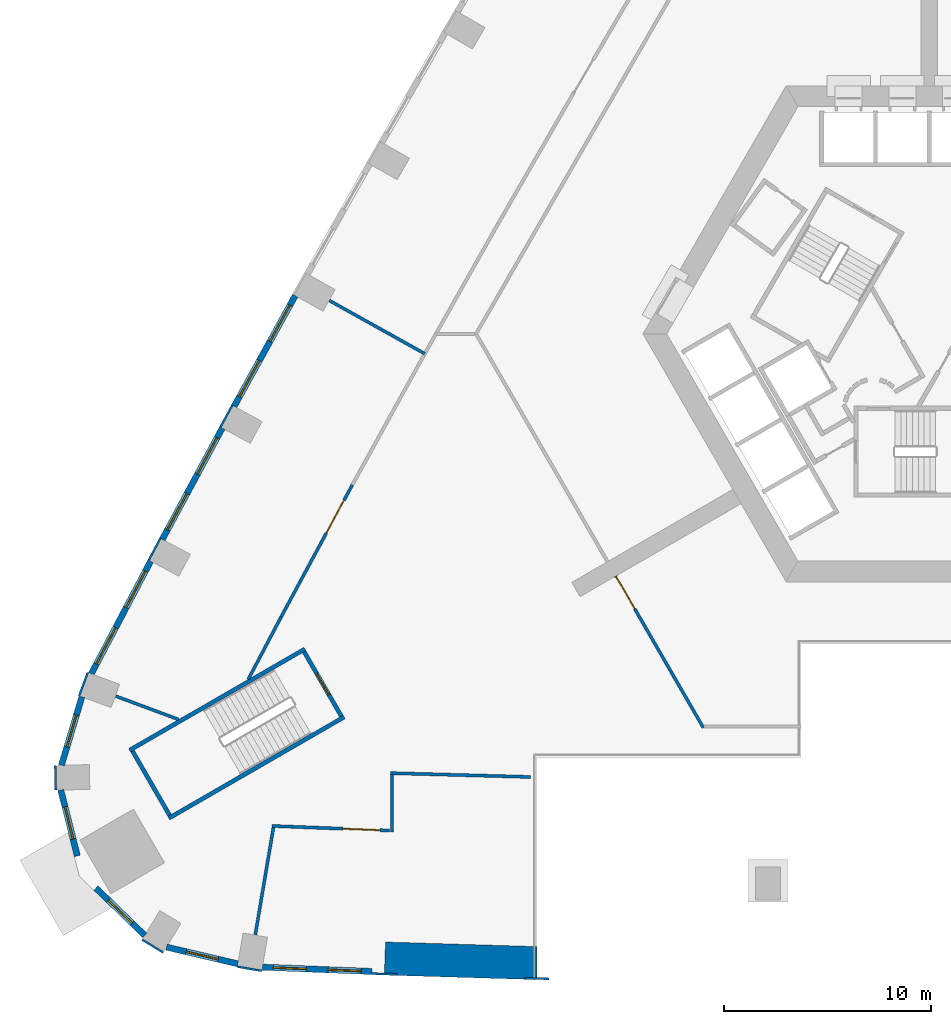
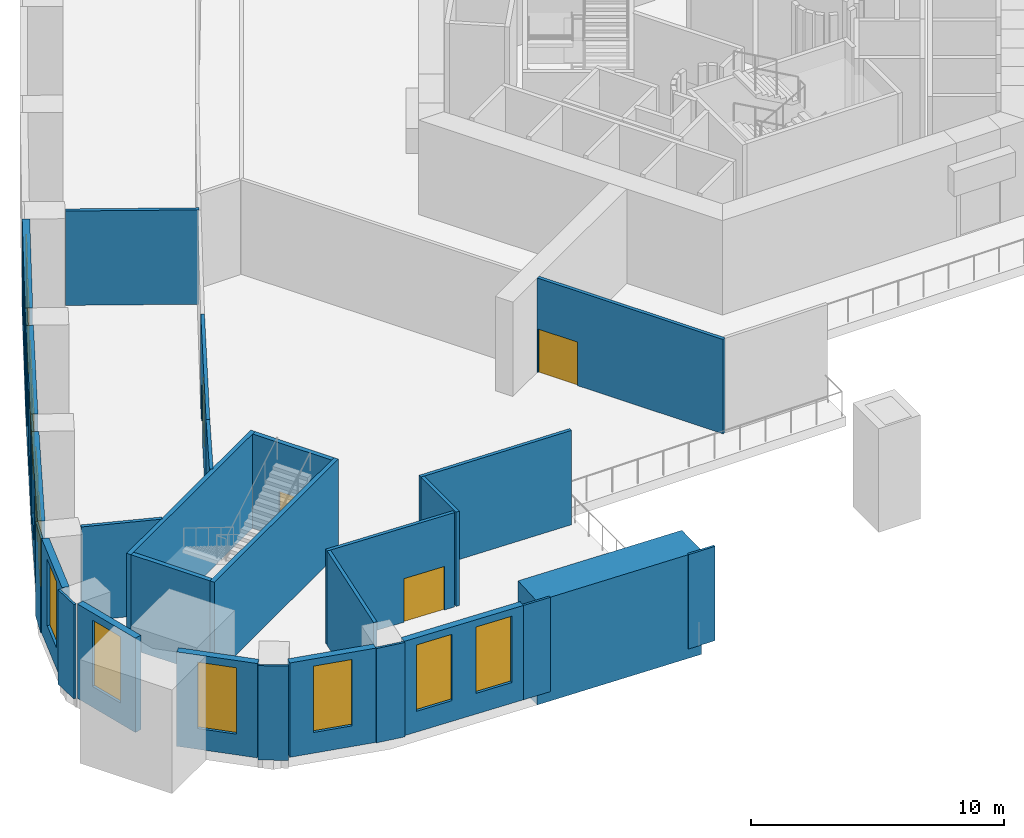
# One storey, part 2 of 16: 30 walls, 12 windows, 4 doors, 16 openings.
"""IFC4 building model written with IfcOpenShell, lengths in metres."""

from ifc_helpers import new_model, si_unit, direction, frame, frame_2d, origin, place, context, subcontext, project, spatial, polyline, rectangle, outline, extrude, material, layer, layer_set, type_object, element, fill, save


model = new_model("IFC4")

# Units and contexts
model_context = context("Model", 3, precision=1e-05, world=origin(), true_north=direction((0.0, 1.0)))
body_context = subcontext(model_context, "Body", "Model", "MODEL_VIEW")
ifc_project = project(units=[si_unit("LENGTHUNIT", "METRE"), si_unit("AREAUNIT", "SQUARE_METRE"), si_unit("VOLUMEUNIT", "CUBIC_METRE"), si_unit("PLANEANGLEUNIT", "RADIAN"), si_unit("MASSUNIT", "GRAM", prefix="KILO")], contexts=[model_context])

# Site, building, storey
site_placement = place(None, origin())
site = spatial("IfcSite", under=ifc_project, at=site_placement, CompositionType="ELEMENT")
building_placement = place(site_placement, origin())
building = spatial("IfcBuilding", under=site, at=building_placement, Name="Entoto Arch Interchange Tower", CompositionType="ELEMENT")
storey_placement = place(building_placement, frame((0.0, 0.0, 20.0)))
storey = spatial("IfcBuildingStorey", under=building, at=storey_placement, Name="L03", CompositionType="ELEMENT", Elevation=20.0)

# Walls
ifc_material_1 = material(Name="Concrete C60/75", Category="concrete")
ifc_layer_1 = layer(ifc_material_1, 1.60009765625)
ifc_layer_set_1 = layer_set([ifc_layer_1], Name="Concrete C60/75")
wall_type_1 = type_object("IfcWallType", Name="Arch leg wall 1600 C60/75", PredefinedType="SHEAR", material=ifc_layer_set_1)
wall_1_placement = place(storey_placement, frame((0.0, 0.0, -0.449951171875)))
element("IfcWall", 1, at=wall_1_placement, inside=storey, type_object=wall_type_1, Name="Arch leg W L03", PredefinedType="SHEAR", context=body_context, shape_type="SweptSolid", body=[
    extrude(outline(polyline([(-26.376953125, -28.5400390625), (-19.0, -28.761962890625), (-18.97607421875, -27.162109375), (-26.321044921875, -26.94091796875), (-26.376953125, -28.5400390625)])), origin(), (0.0, 0.0, 1.0), 5.0),
])
ifc_material_2 = material(Name="Gypsum board partition on steel studs", Category="steel")
ifc_layer_2 = layer(ifc_material_2, 0.14990234375)
ifc_layer_set_2 = layer_set([ifc_layer_2], Name="Gypsum board partition on steel studs")
wall_type_2 = type_object("IfcWallType", Name="PARTITION 150", PredefinedType="PARTITIONING", material=ifc_layer_set_2)
wall_2_placement = place(storey_placement, frame((-32.625, -26.587890625, 0.0), z_axis=(0.0, 0.0, 1.0), x_axis=(0.166820836651, 0.985987225302, 0.0)))
element("IfcWall", 2, at=wall_2_placement, inside=storey, type_object=wall_type_2, Name="wall:L03:p032", PredefinedType="PARTITIONING", context=body_context, shape_type="SweptSolid", body=[
    extrude(rectangle(XDim=5.2626953125, YDim=0.14990234375, at=frame_2d((2.63134765625, 0.0))), origin(), (0.0, 0.0, 1.0), 4.550048828125),
])

# Wall, opening, door
wall_3_placement = place(storey_placement, frame((-31.80908203125, -21.322021484375, 0.0), z_axis=(0.0, 0.0, 1.0), x_axis=(0.999236005504, -0.039082033002, 0.0)))
wall_3 = element("IfcWall", 3, at=wall_3_placement, inside=storey, type_object=wall_type_2, Name="wall:L03:p033", PredefinedType="PARTITIONING", context=body_context, shape_type="SweptSolid", body=[
    extrude(rectangle(XDim=5.678466796875, YDim=0.14990234375, at=frame_2d((2.83935546875, 0.0))), origin(), (0.0, 0.0, 1.0), 4.550048828125),
])
opening_1_placement = place(wall_3_placement, frame((3.419921875, 0.0, 0.0)))
opening_1 = element("IfcOpeningElement", 4, at=opening_1_placement, cuts=wall_3, Name="Opening L03-D04", PredefinedType="OPENING", context=body_context, shape_type="SweptSolid", body=[
    extrude(rectangle(XDim=1.800048828125, YDim=2.10009765625, at=frame_2d((0.89990234375, 1.050048828125))), frame((0.0, 0.0849609375, 0.0), z_axis=(0.0, -1.0, 0.0), x_axis=(1.0, 0.0, 0.0)), (0.0, 0.0, 1.0), 0.169921875),
])
ifc_material_3 = material(Name="Timber door leaf in Steel S235 frame", Category="steel")
door_type_1 = type_object("IfcDoorType", Name="DOOR DD-18 1800x2100", OperationType="DOUBLE_DOOR_SINGLE_SWING", PredefinedType="DOOR", material=ifc_material_3)
door_1_placement = place(opening_1_placement, origin())
door_1 = element("IfcDoor", 5, at=door_1_placement, inside=storey, type_object=door_type_1, Name="door:L03:04", OperationType="DOUBLE_DOOR_SINGLE_SWING", OverallHeight=2.10009765625, OverallWidth=1.800048828125, PredefinedType="DOOR", context=body_context, shape_type="SweptSolid", body=[
    extrude(rectangle(XDim=1.800048828125, YDim=2.10009765625, at=frame_2d((0.89990234375, 1.050048828125))), frame((0.0, 0.02490234375, 0.0), z_axis=(0.0, -1.0, 0.0), x_axis=(1.0, 0.0, 0.0)), (0.0, 0.0, 1.0), 0.050048828125),
])
fill(opening_1, door_1)

# Walls
wall_4_placement = place(storey_placement, frame((-26.0, -21.623046875, 0.0), z_axis=(0.0, 0.0, 1.0), x_axis=(0.0, 1.0, 0.0)))
element("IfcWall", 6, at=wall_4_placement, inside=storey, type_object=wall_type_2, Name="wall:L03:p034", PredefinedType="PARTITIONING", context=body_context, shape_type="SweptSolid", body=[
    extrude(rectangle(XDim=2.781982421875, YDim=0.14990234375, at=frame_2d((1.39111328125, 0.0))), origin(), (0.0, 0.0, 1.0), 4.550048828125),
])
wall_5_placement = place(storey_placement, frame((-26.074951171875, -18.763916015625, 0.0), z_axis=(0.0, 0.0, 1.0), x_axis=(0.999619238114, -0.027593093203, 0.0)))
element("IfcWall", 7, at=wall_5_placement, inside=storey, type_object=wall_type_2, Name="wall:L03:p035", PredefinedType="PARTITIONING", context=body_context, shape_type="SweptSolid", body=[
    extrude(rectangle(XDim=6.777587890625, YDim=0.14990234375, at=frame_2d((3.388671875, 0.0))), origin(), (0.0, 0.0, 1.0), 4.550048828125),
])
wall_6_placement = place(storey_placement, frame((-24.422119140625, 1.5419921875, 0.0), z_axis=(0.0, 0.0, 1.0), x_axis=(-0.873438758077, 0.48693401595, 0.0)))
element("IfcWall", 8, at=wall_6_placement, inside=storey, type_object=wall_type_2, Name="wall:L03:p060", PredefinedType="PARTITIONING", context=body_context, shape_type="SweptSolid", body=[
    extrude(rectangle(XDim=5.280029296875, YDim=0.14990234375, at=frame_2d((2.64013671875, 0.0))), origin(), (0.0, 0.0, 1.0), 4.550048828125),
])

# Wall, opening, door
wall_7_placement = place(storey_placement, frame((-27.927978515625, -4.81103515625, 0.0), z_axis=(0.0, 0.0, 1.0), x_axis=(-0.474637598335, -0.880181316688, 0.0)))
wall_7 = element("IfcWall", 9, at=wall_7_placement, inside=storey, type_object=wall_type_2, Name="wall:L03:p066", PredefinedType="PARTITIONING", context=body_context, shape_type="SweptSolid", body=[
    extrude(rectangle(XDim=7.254150390625, YDim=0.14990234375, at=frame_2d((3.626953125, 0.0))), origin(), (0.0, 0.0, 1.0), 4.550048828125),
])
opening_2_placement = place(wall_7_placement, frame((0.843994140625, 0.0, 0.0)))
opening_2 = element("IfcOpeningElement", 10, at=opening_2_placement, cuts=wall_7, Name="Opening L03-D11", PredefinedType="OPENING", context=body_context, shape_type="SweptSolid", body=[
    extrude(rectangle(XDim=1.800048828125, YDim=2.10009765625, at=frame_2d((0.89990234375, 1.050048828125))), frame((0.0, 0.0849609375, 0.0), z_axis=(0.0, -1.0, 0.0), x_axis=(1.0, 0.0, 0.0)), (0.0, 0.0, 1.0), 0.169921875),
])
door_2_placement = place(opening_2_placement, origin())
door_2 = element("IfcDoor", 11, at=door_2_placement, inside=storey, type_object=door_type_1, Name="door:L03:11", OperationType="DOUBLE_DOOR_SINGLE_SWING", OverallHeight=2.10009765625, OverallWidth=1.800048828125, PredefinedType="DOOR", context=body_context, shape_type="SweptSolid", body=[
    extrude(rectangle(XDim=1.800048828125, YDim=2.10009765625, at=frame_2d((0.89990234375, 1.050048828125))), frame((0.0, 0.02490234375, 0.0), z_axis=(0.0, -1.0, 0.0), x_axis=(1.0, 0.0, 0.0)), (0.0, 0.0, 1.0), 0.050048828125),
])
fill(opening_2, door_2)

# Walls
wall_8_placement = place(storey_placement, frame((-31.37109375, -11.196044921875, 0.0), z_axis=(0.0, 0.0, 1.0), x_axis=(-0.465955257404, -0.884808283244, 0.0)))
element("IfcWall", 12, at=wall_8_placement, inside=storey, type_object=wall_type_2, Name="wall:L03:p067", PredefinedType="PARTITIONING", context=body_context, shape_type="SweptSolid", body=[
    extrude(rectangle(XDim=3.4208984375, YDim=0.14990234375, at=frame_2d((1.71044921875, 0.0))), origin(), (0.0, 0.0, 1.0), 4.550048828125),
])
wall_9_placement = place(storey_placement, frame((-36.333984375, -16.16796875, 0.0), z_axis=(0.0, 0.0, 1.0), x_axis=(-0.937400028274, 0.348254485961, 0.0)))
element("IfcWall", 13, at=wall_9_placement, inside=storey, type_object=wall_type_2, Name="wall:L03:p068", PredefinedType="PARTITIONING", context=body_context, shape_type="SweptSolid", body=[
    extrude(rectangle(XDim=3.247314453125, YDim=0.14990234375, at=frame_2d((1.62353515625, 0.0))), origin(), (0.0, 0.0, 1.0), 4.550048828125),
])

# Wall, opening, door
wall_10_placement = place(storey_placement, frame((-10.93310546875, -16.56494140625, 0.0), z_axis=(0.0, 0.0, 1.0), x_axis=(-0.499957584211, 0.866049891167, 0.0)))
wall_10 = element("IfcWall", 14, at=wall_10_placement, inside=storey, type_object=wall_type_2, Name="wall:L03:p070", PredefinedType="PARTITIONING", context=body_context, shape_type="SweptSolid", body=[
    extrude(rectangle(XDim=8.478759765625, YDim=0.14990234375, at=frame_2d((4.2392578125, 0.0))), origin(), (0.0, 0.0, 1.0), 4.550048828125),
])
opening_3_placement = place(wall_10_placement, frame((6.635009765625, 0.0, 0.0)))
opening_3 = element("IfcOpeningElement", 15, at=opening_3_placement, cuts=wall_10, Name="Opening L03-D01", PredefinedType="OPENING", context=body_context, shape_type="SweptSolid", body=[
    extrude(rectangle(XDim=1.800048828125, YDim=2.10009765625, at=frame_2d((0.89990234375, 1.050048828125))), frame((0.0, 0.0849609375, 0.0), z_axis=(0.0, -1.0, 0.0), x_axis=(1.0, 0.0, 0.0)), (0.0, 0.0, 1.0), 0.169921875),
])
ifc_material_4 = material(Name="Fire-rated Steel S235 door and frame", Category="steel")
door_type_2 = type_object("IfcDoorType", Name="DOOR FD-18 1800x2100", OperationType="DOUBLE_DOOR_SINGLE_SWING", PredefinedType="DOOR", material=ifc_material_4)
door_3_placement = place(opening_3_placement, origin())
door_3 = element("IfcDoor", 16, at=door_3_placement, inside=storey, type_object=door_type_2, Name="door:L03:01", OperationType="DOUBLE_DOOR_SINGLE_SWING", OverallHeight=2.10009765625, OverallWidth=1.800048828125, PredefinedType="DOOR", context=body_context, shape_type="SweptSolid", body=[
    extrude(rectangle(XDim=1.800048828125, YDim=2.10009765625, at=frame_2d((0.89990234375, 1.050048828125))), frame((0.0, 0.02490234375, 0.0), z_axis=(0.0, -1.0, 0.0), x_axis=(1.0, 0.0, 0.0)), (0.0, 0.0, 1.0), 0.050048828125),
])
fill(opening_3, door_3)

# Walls
ifc_material_5 = material(Name="Concrete C40/50", Category="concrete")
ifc_layer_3 = layer(ifc_material_5, 0.199951171875)
ifc_layer_set_3 = layer_set([ifc_layer_3], Name="Concrete C40/50")
wall_type_3 = type_object("IfcWallType", Name="STAIR ENCLOSURE WALL 200", PredefinedType="STANDARD", material=ifc_layer_set_3)
for number, where, z_axis, x_axis, name in (
    (17, (-30.221923828125, -12.7548828125, 0.0), (0.0, 0.0, 1.0), (-0.866019227021, -0.500010698315, 0.0), "Stair wall PST-SW left"),
    (18, (-28.322021484375, -16.044921875, 0.0), (0.0, 0.0, 1.0), (-0.866019227021, -0.500010698315, 0.0), "Stair wall PST-SW right"),
):
    element("IfcWall", number, at=place(storey_placement, frame(where, z_axis=z_axis, x_axis=x_axis)), inside=storey, type_object=wall_type_3, Name=name, PredefinedType="STANDARD", context=body_context, shape_type="SweptSolid", body=[
        extrude(rectangle(XDim=9.800048828125, YDim=0.199951171875, at=frame_2d((4.89990234375, 0.0))), origin(), (0.0, 0.0, 1.0), 4.550048828125),
    ])

# Wall, opening, door
wall_11_placement = place(storey_placement, frame((-30.258056640625, -12.89111328125, 0.0), z_axis=(0.0, 0.0, 1.0), x_axis=(0.499982693035, -0.866035395735, 0.0)))
wall_11 = element("IfcWall", 19, at=wall_11_placement, inside=storey, type_object=wall_type_3, Name="Stair wall PST-SW near", PredefinedType="STANDARD", context=body_context, shape_type="SweptSolid", body=[
    extrude(rectangle(XDim=3.600341796875, YDim=0.199951171875, at=frame_2d((1.80029296875, 0.0))), origin(), (0.0, 0.0, 1.0), 4.550048828125),
])
opening_4_placement = place(wall_11_placement, frame((1.199951171875, 0.0, 0.0)))
opening_4 = element("IfcOpeningElement", 20, at=opening_4_placement, cuts=wall_11, Name="Opening SD-PST-SW-L03", PredefinedType="OPENING", context=body_context, shape_type="SweptSolid", body=[
    extrude(rectangle(XDim=1.199951171875, YDim=2.199951171875, at=frame_2d((0.60009765625, 1.10009765625))), frame((0.0, 0.10986328125, 0.0), z_axis=(0.0, -1.0, 0.0), x_axis=(1.0, 0.0, 0.0)), (0.0, 0.0, 1.0), 0.219970703125),
])
ifc_material_6 = material(Name="Steel S235", Category="steel")
door_type_3 = type_object("IfcDoorType", Name="STAIR DOOR SD2 1200x2200", OperationType="SINGLE_SWING_LEFT", PredefinedType="DOOR", material=ifc_material_6)
door_4_placement = place(opening_4_placement, origin())
door_4 = element("IfcDoor", 21, at=door_4_placement, inside=storey, type_object=door_type_3, Name="Stair door PST-SW L03", OperationType="SINGLE_SWING_LEFT", OverallHeight=2.199951171875, OverallWidth=1.199951171875, PredefinedType="DOOR", context=body_context, shape_type="SweptSolid", body=[
    extrude(rectangle(XDim=1.199951171875, YDim=2.199951171875, at=frame_2d((0.60009765625, 1.10009765625))), frame((0.0, 0.02490234375, 0.0), z_axis=(0.0, -1.0, 0.0), x_axis=(1.0, 0.0, 0.0)), (0.0, 0.0, 1.0), 0.050048828125),
])
fill(opening_4, door_4)

# Wall
wall_12_placement = place(storey_placement, frame((-38.572021484375, -17.69091796875, 0.0), z_axis=(0.0, 0.0, 1.0), x_axis=(0.49995333141, -0.866052346231, 0.0)))
element("IfcWall", 22, at=wall_12_placement, inside=storey, type_object=wall_type_3, Name="Stair wall PST-SW far", PredefinedType="STANDARD", context=body_context, shape_type="SweptSolid", body=[
    extrude(rectangle(XDim=3.600341796875, YDim=0.199951171875, at=frame_2d((1.80029296875, 0.0))), origin(), (0.0, 0.0, 1.0), 4.550048828125),
])

# Wall, openings, windows
ifc_material_7 = material(Name="Welded tuff (ignimbrite) cladding, warm buff", Category="masonry")
ifc_layer_4 = layer(ifc_material_7, 0.300048828125)
ifc_layer_set_4 = layer_set([ifc_layer_4], Name="Welded tuff (ignimbrite) cladding, warm buff")
wall_type_4 = type_object("IfcWallType", Name="STONE INFILL WALL 300", PredefinedType="STANDARD", material=ifc_layer_set_4)
wall_13_placement = place(storey_placement, frame((-32.281982421875, -28.158935546875, 0.0), z_axis=(0.0, 0.0, 1.0), x_axis=(0.999234205654, -0.039128023863, 0.0)))
wall_13 = element("IfcWall", 23, at=wall_13_placement, inside=storey, type_object=wall_type_4, Name="Facade wall S-01 L03", PredefinedType="STANDARD", context=body_context, shape_type="SweptSolid", body=[
    extrude(rectangle(XDim=5.316162109375, YDim=0.300048828125, at=frame_2d((2.658203125, 0.0))), origin(), (0.0, 0.0, 1.0), 4.550048828125),
])
opening_5_placement = place(wall_13_placement, frame((0.529052734375, 0.0, 1.0)))
opening_5 = element("IfcOpeningElement", 24, at=opening_5_placement, cuts=wall_13, Name="Opening WP-C", PredefinedType="OPENING", context=body_context, shape_type="SweptSolid", body=[
    extrude(rectangle(XDim=1.60009765625, YDim=3.199951171875, at=frame_2d((0.800048828125, 1.60009765625))), frame((0.0, 0.16015625, 0.0), z_axis=(0.0, -1.0, 0.0), x_axis=(1.0, 0.0, 0.0)), (0.0, 0.0, 1.0), 0.320068359375),
])
opening_6_placement = place(wall_13_placement, frame((3.18701171875, 0.0, 1.0)))
opening_6 = element("IfcOpeningElement", 25, at=opening_6_placement, cuts=wall_13, Name="Opening WP-C", PredefinedType="OPENING", context=body_context, shape_type="SweptSolid", body=[
    extrude(rectangle(XDim=1.60009765625, YDim=3.199951171875, at=frame_2d((0.800048828125, 1.60009765625))), frame((0.0, 0.16015625, 0.0), z_axis=(0.0, -1.0, 0.0), x_axis=(1.0, 0.0, 0.0)), (0.0, 0.0, 1.0), 0.320068359375),
])
ifc_material_8 = material(Name="Clear glass, low-e double glazed", Category="glass")
window_type_1 = type_object("IfcWindowType", Name="WINDOW WP-C 1600x3200", PartitioningType="DOUBLE_PANEL_VERTICAL", PredefinedType="WINDOW", material=ifc_material_8)
window_1_placement = place(opening_5_placement, origin())
window_1 = element("IfcWindow", 26, at=window_1_placement, inside=storey, type_object=window_type_1, Name="Window WP-C S-01 L03", OverallHeight=3.199951171875, OverallWidth=1.60009765625, PartitioningType="SINGLE_PANEL", PredefinedType="WINDOW", context=body_context, shape_type="SweptSolid", body=[
    extrude(rectangle(XDim=1.60009765625, YDim=3.199951171875, at=frame_2d((0.800048828125, 1.60009765625))), frame((0.0, 0.030029296875, 0.0), z_axis=(0.0, -1.0, 0.0), x_axis=(1.0, 0.0, 0.0)), (0.0, 0.0, 1.0), 0.06005859375),
])
fill(opening_5, window_1)
window_2_placement = place(opening_6_placement, origin())
window_2 = element("IfcWindow", 27, at=window_2_placement, inside=storey, type_object=window_type_1, Name="Window WP-C S-01 L03", OverallHeight=3.199951171875, OverallWidth=1.60009765625, PartitioningType="SINGLE_PANEL", PredefinedType="WINDOW", context=body_context, shape_type="SweptSolid", body=[
    extrude(rectangle(XDim=1.60009765625, YDim=3.199951171875, at=frame_2d((0.800048828125, 1.60009765625))), frame((0.0, 0.030029296875, 0.0), z_axis=(0.0, -1.0, 0.0), x_axis=(1.0, 0.0, 0.0)), (0.0, 0.0, 1.0), 0.06005859375),
])
fill(opening_6, window_2)

wall_14_placement = place(storey_placement, frame((-30.694091796875, 4.35302734375, 0.0), z_axis=(0.0, 0.0, 1.0), x_axis=(-0.483233380559, -0.875491576152, 0.0)))
wall_14 = element("IfcWall", 28, at=wall_14_placement, inside=storey, type_object=wall_type_4, Name="Facade wall NW-07 L03", PredefinedType="STANDARD", context=body_context, shape_type="SweptSolid", body=[
    extrude(rectangle(XDim=6.121337890625, YDim=0.300048828125, at=frame_2d((3.060546875, 0.0))), origin(), (0.0, 0.0, 1.0), 4.550048828125),
])
opening_7_placement = place(wall_14_placement, frame((0.530029296875, 0.0, 1.0)))
opening_7 = element("IfcOpeningElement", 29, at=opening_7_placement, cuts=wall_14, Name="Opening WP-E", PredefinedType="OPENING", context=body_context, shape_type="SweptSolid", body=[
    extrude(rectangle(XDim=2.0, YDim=3.199951171875, at=frame_2d((1.0, 1.60009765625))), frame((0.0, 0.16015625, 0.0), z_axis=(0.0, -1.0, 0.0), x_axis=(1.0, 0.0, 0.0)), (0.0, 0.0, 1.0), 0.320068359375),
])
opening_8_placement = place(wall_14_placement, frame((3.591064453125, 0.0, 1.0)))
opening_8 = element("IfcOpeningElement", 30, at=opening_8_placement, cuts=wall_14, Name="Opening WP-E", PredefinedType="OPENING", context=body_context, shape_type="SweptSolid", body=[
    extrude(rectangle(XDim=2.0, YDim=3.199951171875, at=frame_2d((1.0, 1.60009765625))), frame((0.0, 0.16015625, 0.0), z_axis=(0.0, -1.0, 0.0), x_axis=(1.0, 0.0, 0.0)), (0.0, 0.0, 1.0), 0.320068359375),
])
window_type_2 = type_object("IfcWindowType", Name="WINDOW WP-E 2000x3200", PartitioningType="DOUBLE_PANEL_VERTICAL", PredefinedType="WINDOW", material=ifc_material_8)
window_3_placement = place(opening_7_placement, origin())
window_3 = element("IfcWindow", 31, at=window_3_placement, inside=storey, type_object=window_type_2, Name="Window WP-E NW-07 L03", OverallHeight=3.199951171875, OverallWidth=2.0, PartitioningType="SINGLE_PANEL", PredefinedType="WINDOW", context=body_context, shape_type="SweptSolid", body=[
    extrude(rectangle(XDim=2.0, YDim=3.199951171875, at=frame_2d((1.0, 1.60009765625))), frame((0.0, 0.030029296875, 0.0), z_axis=(0.0, -1.0, 0.0), x_axis=(1.0, 0.0, 0.0)), (0.0, 0.0, 1.0), 0.06005859375),
])
fill(opening_7, window_3)
window_4_placement = place(opening_8_placement, origin())
window_4 = element("IfcWindow", 32, at=window_4_placement, inside=storey, type_object=window_type_2, Name="Window WP-E NW-07 L03", OverallHeight=3.199951171875, OverallWidth=2.0, PartitioningType="SINGLE_PANEL", PredefinedType="WINDOW", context=body_context, shape_type="SweptSolid", body=[
    extrude(rectangle(XDim=2.0, YDim=3.199951171875, at=frame_2d((1.0, 1.60009765625))), frame((0.0, 0.030029296875, 0.0), z_axis=(0.0, -1.0, 0.0), x_axis=(1.0, 0.0, 0.0)), (0.0, 0.0, 1.0), 0.06005859375),
])
fill(opening_8, window_4)

wall_15_placement = place(storey_placement, frame((-34.22607421875, -2.05810546875, 0.0), z_axis=(0.0, 0.0, 1.0), x_axis=(-0.474584950749, -0.880209704856, 0.0)))
wall_15 = element("IfcWall", 33, at=wall_15_placement, inside=storey, type_object=wall_type_4, Name="Facade wall NW-08 L03", PredefinedType="STANDARD", context=body_context, shape_type="SweptSolid", body=[
    extrude(rectangle(XDim=6.12109375, YDim=0.300048828125, at=frame_2d((3.060546875, 0.0))), origin(), (0.0, 0.0, 1.0), 4.550048828125),
])
opening_9_placement = place(wall_15_placement, frame((0.530029296875, 0.0, 1.0)))
opening_9 = element("IfcOpeningElement", 34, at=opening_9_placement, cuts=wall_15, Name="Opening WP-E", PredefinedType="OPENING", context=body_context, shape_type="SweptSolid", body=[
    extrude(rectangle(XDim=2.0, YDim=3.199951171875, at=frame_2d((1.0, 1.60009765625))), frame((0.0, 0.16015625, 0.0), z_axis=(0.0, -1.0, 0.0), x_axis=(1.0, 0.0, 0.0)), (0.0, 0.0, 1.0), 0.320068359375),
])
opening_10_placement = place(wall_15_placement, frame((3.591064453125, 0.0, 1.0)))
opening_10 = element("IfcOpeningElement", 35, at=opening_10_placement, cuts=wall_15, Name="Opening WP-E", PredefinedType="OPENING", context=body_context, shape_type="SweptSolid", body=[
    extrude(rectangle(XDim=2.0, YDim=3.199951171875, at=frame_2d((1.0, 1.60009765625))), frame((0.0, 0.16015625, 0.0), z_axis=(0.0, -1.0, 0.0), x_axis=(1.0, 0.0, 0.0)), (0.0, 0.0, 1.0), 0.320068359375),
])
window_5_placement = place(opening_9_placement, origin())
window_5 = element("IfcWindow", 36, at=window_5_placement, inside=storey, type_object=window_type_2, Name="Window WP-E NW-08 L03", OverallHeight=3.199951171875, OverallWidth=2.0, PartitioningType="SINGLE_PANEL", PredefinedType="WINDOW", context=body_context, shape_type="SweptSolid", body=[
    extrude(rectangle(XDim=2.0, YDim=3.199951171875, at=frame_2d((1.0, 1.60009765625))), frame((0.0, 0.030029296875, 0.0), z_axis=(0.0, -1.0, 0.0), x_axis=(1.0, 0.0, 0.0)), (0.0, 0.0, 1.0), 0.06005859375),
])
fill(opening_9, window_5)
window_6_placement = place(opening_10_placement, origin())
window_6 = element("IfcWindow", 37, at=window_6_placement, inside=storey, type_object=window_type_2, Name="Window WP-E NW-08 L03", OverallHeight=3.199951171875, OverallWidth=2.0, PartitioningType="SINGLE_PANEL", PredefinedType="WINDOW", context=body_context, shape_type="SweptSolid", body=[
    extrude(rectangle(XDim=2.0, YDim=3.199951171875, at=frame_2d((1.0, 1.60009765625))), frame((0.0, 0.030029296875, 0.0), z_axis=(0.0, -1.0, 0.0), x_axis=(1.0, 0.0, 0.0)), (0.0, 0.0, 1.0), 0.06005859375),
])
fill(opening_10, window_6)

wall_16_placement = place(storey_placement, frame((-37.695068359375, -8.5029296875, 0.0), z_axis=(0.0, 0.0, 1.0), x_axis=(-0.466125129602, -0.884718804792, 0.0)))
wall_16 = element("IfcWall", 38, at=wall_16_placement, inside=storey, type_object=wall_type_4, Name="Facade wall NW-09 L03", PredefinedType="STANDARD", context=body_context, shape_type="SweptSolid", body=[
    extrude(rectangle(XDim=6.16357421875, YDim=0.300048828125, at=frame_2d((3.081787109375, 0.0))), origin(), (0.0, 0.0, 1.0), 4.550048828125),
])
opening_11_placement = place(wall_16_placement, frame((0.541015625, 0.0, 1.0)))
opening_11 = element("IfcOpeningElement", 39, at=opening_11_placement, cuts=wall_16, Name="Opening WP-E", PredefinedType="OPENING", context=body_context, shape_type="SweptSolid", body=[
    extrude(rectangle(XDim=2.0, YDim=3.199951171875, at=frame_2d((1.0, 1.60009765625))), frame((0.0, 0.16015625, 0.0), z_axis=(0.0, -1.0, 0.0), x_axis=(1.0, 0.0, 0.0)), (0.0, 0.0, 1.0), 0.320068359375),
])
opening_12_placement = place(wall_16_placement, frame((3.623046875, 0.0, 1.0)))
opening_12 = element("IfcOpeningElement", 40, at=opening_12_placement, cuts=wall_16, Name="Opening WP-E", PredefinedType="OPENING", context=body_context, shape_type="SweptSolid", body=[
    extrude(rectangle(XDim=2.0, YDim=3.199951171875, at=frame_2d((1.0, 1.60009765625))), frame((0.0, 0.16015625, 0.0), z_axis=(0.0, -1.0, 0.0), x_axis=(1.0, 0.0, 0.0)), (0.0, 0.0, 1.0), 0.320068359375),
])
window_7_placement = place(opening_11_placement, origin())
window_7 = element("IfcWindow", 41, at=window_7_placement, inside=storey, type_object=window_type_2, Name="Window WP-E NW-09 L03", OverallHeight=3.199951171875, OverallWidth=2.0, PartitioningType="SINGLE_PANEL", PredefinedType="WINDOW", context=body_context, shape_type="SweptSolid", body=[
    extrude(rectangle(XDim=2.0, YDim=3.199951171875, at=frame_2d((1.0, 1.60009765625))), frame((0.0, 0.030029296875, 0.0), z_axis=(0.0, -1.0, 0.0), x_axis=(1.0, 0.0, 0.0)), (0.0, 0.0, 1.0), 0.06005859375),
])
fill(opening_11, window_7)
window_8_placement = place(opening_12_placement, origin())
window_8 = element("IfcWindow", 42, at=window_8_placement, inside=storey, type_object=window_type_2, Name="Window WP-E NW-09 L03", OverallHeight=3.199951171875, OverallWidth=2.0, PartitioningType="SINGLE_PANEL", PredefinedType="WINDOW", context=body_context, shape_type="SweptSolid", body=[
    extrude(rectangle(XDim=2.0, YDim=3.199951171875, at=frame_2d((1.0, 1.60009765625))), frame((0.0, 0.030029296875, 0.0), z_axis=(0.0, -1.0, 0.0), x_axis=(1.0, 0.0, 0.0)), (0.0, 0.0, 1.0), 0.06005859375),
])
fill(opening_12, window_8)

# Wall, opening, window
wall_17_placement = place(storey_placement, frame((-41.02197265625, -15.06591796875, 0.0), z_axis=(0.0, 0.0, 1.0), x_axis=(-0.285800575124, -0.958289116738, 0.0)))
wall_17 = element("IfcWall", 43, at=wall_17_placement, inside=storey, type_object=wall_type_4, Name="Facade wall SW-01 L03", PredefinedType="STANDARD", context=body_context, shape_type="SweptSolid", body=[
    extrude(rectangle(XDim=3.46044921875, YDim=0.300048828125, at=frame_2d((1.730224609375, 0.0))), origin(), (0.0, 0.0, 1.0), 4.550048828125),
])
opening_13_placement = place(wall_17_placement, frame((0.929931640625, 0.0, 1.0)))
opening_13 = element("IfcOpeningElement", 44, at=opening_13_placement, cuts=wall_17, Name="Opening WP-C", PredefinedType="OPENING", context=body_context, shape_type="SweptSolid", body=[
    extrude(rectangle(XDim=1.60009765625, YDim=3.199951171875, at=frame_2d((0.800048828125, 1.60009765625))), frame((0.0, 0.16015625, 0.0), z_axis=(0.0, -1.0, 0.0), x_axis=(1.0, 0.0, 0.0)), (0.0, 0.0, 1.0), 0.320068359375),
])
window_9_placement = place(opening_13_placement, origin())
window_9 = element("IfcWindow", 45, at=window_9_placement, inside=storey, type_object=window_type_1, Name="Window WP-C SW-01 L03", OverallHeight=3.199951171875, OverallWidth=1.60009765625, PartitioningType="SINGLE_PANEL", PredefinedType="WINDOW", context=body_context, shape_type="SweptSolid", body=[
    extrude(rectangle(XDim=1.60009765625, YDim=3.199951171875, at=frame_2d((0.800048828125, 1.60009765625))), frame((0.0, 0.030029296875, 0.0), z_axis=(0.0, -1.0, 0.0), x_axis=(1.0, 0.0, 0.0)), (0.0, 0.0, 1.0), 0.06005859375),
])
fill(opening_13, window_9)

wall_18_placement = place(storey_placement, frame((-42.0439453125, -19.5810546875, 0.0), z_axis=(0.0, 0.0, 1.0), x_axis=(0.244315836028, -0.969695711172, 0.0)))
wall_18 = element("IfcWall", 46, at=wall_18_placement, inside=storey, type_object=wall_type_4, Name="Facade wall SW-02 L03", PredefinedType="STANDARD", context=body_context, shape_type="SweptSolid", body=[
    extrude(rectangle(XDim=3.29052734375, YDim=0.300048828125, at=frame_2d((1.645263671875, 0.0))), origin(), (0.0, 0.0, 1.0), 4.550048828125),
])
opening_14_placement = place(wall_18_placement, frame((0.844970703125, 0.0, 1.0)))
opening_14 = element("IfcOpeningElement", 47, at=opening_14_placement, cuts=wall_18, Name="Opening WP-C", PredefinedType="OPENING", context=body_context, shape_type="SweptSolid", body=[
    extrude(rectangle(XDim=1.60009765625, YDim=3.199951171875, at=frame_2d((0.800048828125, 1.60009765625))), frame((0.0, 0.16015625, 0.0), z_axis=(0.0, -1.0, 0.0), x_axis=(1.0, 0.0, 0.0)), (0.0, 0.0, 1.0), 0.320068359375),
])
window_10_placement = place(opening_14_placement, origin())
window_10 = element("IfcWindow", 48, at=window_10_placement, inside=storey, type_object=window_type_1, Name="Window WP-C SW-02 L03", OverallHeight=3.199951171875, OverallWidth=1.60009765625, PartitioningType="SINGLE_PANEL", PredefinedType="WINDOW", context=body_context, shape_type="SweptSolid", body=[
    extrude(rectangle(XDim=1.60009765625, YDim=3.199951171875, at=frame_2d((0.800048828125, 1.60009765625))), frame((0.0, 0.030029296875, 0.0), z_axis=(0.0, -1.0, 0.0), x_axis=(1.0, 0.0, 0.0)), (0.0, 0.0, 1.0), 0.06005859375),
])
fill(opening_14, window_10)

wall_19_placement = place(storey_placement, frame((-40.341064453125, -24.3291015625, 0.0), z_axis=(0.0, 0.0, 1.0), x_axis=(0.717527250225, -0.696530433782, 0.0)))
wall_19 = element("IfcWall", 49, at=wall_19_placement, inside=storey, type_object=wall_type_4, Name="Facade wall SW-03 L03", PredefinedType="STANDARD", context=body_context, shape_type="SweptSolid", body=[
    extrude(rectangle(XDim=3.29052734375, YDim=0.300048828125, at=frame_2d((1.645263671875, 0.0))), origin(), (0.0, 0.0, 1.0), 4.550048828125),
])
opening_15_placement = place(wall_19_placement, frame((0.844970703125, 0.0, 1.0)))
opening_15 = element("IfcOpeningElement", 50, at=opening_15_placement, cuts=wall_19, Name="Opening WP-C", PredefinedType="OPENING", context=body_context, shape_type="SweptSolid", body=[
    extrude(rectangle(XDim=1.60009765625, YDim=3.199951171875, at=frame_2d((0.800048828125, 1.60009765625))), frame((0.0, 0.16015625, 0.0), z_axis=(0.0, -1.0, 0.0), x_axis=(1.0, 0.0, 0.0)), (0.0, 0.0, 1.0), 0.320068359375),
])
window_11_placement = place(opening_15_placement, origin())
window_11 = element("IfcWindow", 51, at=window_11_placement, inside=storey, type_object=window_type_1, Name="Window WP-C SW-03 L03", OverallHeight=3.199951171875, OverallWidth=1.60009765625, PartitioningType="SINGLE_PANEL", PredefinedType="WINDOW", context=body_context, shape_type="SweptSolid", body=[
    extrude(rectangle(XDim=1.60009765625, YDim=3.199951171875, at=frame_2d((0.800048828125, 1.60009765625))), frame((0.0, 0.030029296875, 0.0), z_axis=(0.0, -1.0, 0.0), x_axis=(1.0, 0.0, 0.0)), (0.0, 0.0, 1.0), 0.06005859375),
])
fill(opening_15, window_11)

wall_20_placement = place(storey_placement, frame((-36.923095703125, -27.18896484375, 0.0), z_axis=(0.0, 0.0, 1.0), x_axis=(0.97357041301, -0.228387063799, 0.0)))
wall_20 = element("IfcWall", 52, at=wall_20_placement, inside=storey, type_object=wall_type_4, Name="Facade wall SW-04 L03", PredefinedType="STANDARD", context=body_context, shape_type="SweptSolid", body=[
    extrude(rectangle(XDim=3.546875, YDim=0.300048828125, at=frame_2d((1.7734375, 0.0))), origin(), (0.0, 0.0, 1.0), 4.550048828125),
])
opening_16_placement = place(wall_20_placement, frame((0.972900390625, 0.0, 1.0)))
opening_16 = element("IfcOpeningElement", 53, at=opening_16_placement, cuts=wall_20, Name="Opening WP-C", PredefinedType="OPENING", context=body_context, shape_type="SweptSolid", body=[
    extrude(rectangle(XDim=1.60009765625, YDim=3.199951171875, at=frame_2d((0.800048828125, 1.60009765625))), frame((0.0, 0.16015625, 0.0), z_axis=(0.0, -1.0, 0.0), x_axis=(1.0, 0.0, 0.0)), (0.0, 0.0, 1.0), 0.320068359375),
])
window_12_placement = place(opening_16_placement, origin())
window_12 = element("IfcWindow", 54, at=window_12_placement, inside=storey, type_object=window_type_1, Name="Window WP-C SW-04 L03", OverallHeight=3.199951171875, OverallWidth=1.60009765625, PartitioningType="SINGLE_PANEL", PredefinedType="WINDOW", context=body_context, shape_type="SweptSolid", body=[
    extrude(rectangle(XDim=1.60009765625, YDim=3.199951171875, at=frame_2d((0.800048828125, 1.60009765625))), frame((0.0, 0.030029296875, 0.0), z_axis=(0.0, -1.0, 0.0), x_axis=(1.0, 0.0, 0.0)), (0.0, 0.0, 1.0), 0.06005859375),
])
fill(opening_16, window_12)

# Walls
ifc_layer_5 = layer(ifc_material_7, 0.10009765625)
ifc_layer_set_5 = layer_set([ifc_layer_5], Name="Welded tuff (ignimbrite) cladding, warm buff")
wall_type_5 = type_object("IfcWallType", Name="STONE PIER CLADDING 100", PredefinedType="STANDARD", material=ifc_layer_set_5)
wall_21_placement = place(storey_placement, frame((-33.741943359375, -0.9560546875, 0.0), z_axis=(0.0, 0.0, 1.0), x_axis=(-0.478267644701, -0.878214131082, 0.0)))
element("IfcWall", 55, at=wall_21_placement, inside=storey, type_object=wall_type_5, Name="Stone pier NW08 L03", PredefinedType="STANDARD", context=body_context, shape_type="SweptSolid", body=[
    extrude(rectangle(XDim=1.2001953125, YDim=0.10009765625, at=frame_2d((0.60009765625, 0.0))), origin(), (0.0, 0.0, 1.0), 4.550048828125),
])
wall_22_placement = place(storey_placement, frame((-37.221923828125, -7.39697265625, 0.0), z_axis=(0.0, 0.0, 1.0), x_axis=(-0.469383408131, -0.882994459876, 0.0)))
element("IfcWall", 56, at=wall_22_placement, inside=storey, type_object=wall_type_5, Name="Stone pier NW09 L03", PredefinedType="STANDARD", context=body_context, shape_type="SweptSolid", body=[
    extrude(rectangle(XDim=1.199462890625, YDim=0.10009765625, at=frame_2d((0.599609375, 0.0))), origin(), (0.0, 0.0, 1.0), 4.550048828125),
])
wall_23_placement = place(storey_placement, frame((-40.735107421875, -13.89306640625, 0.0), z_axis=(0.0, 0.0, 1.0), x_axis=(-0.348268249601, -0.937394914814, 0.0)))
element("IfcWall", 57, at=wall_23_placement, inside=storey, type_object=wall_type_5, Name="Stone pier NW10 L03", PredefinedType="STANDARD", context=body_context, shape_type="SweptSolid", body=[
    extrude(rectangle(XDim=1.2001953125, YDim=0.10009765625, at=frame_2d((0.60009765625, 0.0))), origin(), (0.0, 0.0, 1.0), 4.550048828125),
])
wall_24_placement = place(storey_placement, frame((-33.493896484375, -28.135009765625, 0.0), z_axis=(0.0, 0.0, 1.0), x_axis=(0.986011774526, -0.166675674579, 0.0)))
element("IfcWall", 58, at=wall_24_placement, inside=storey, type_object=wall_type_5, Name="Stone pier S01 L03", PredefinedType="STANDARD", context=body_context, shape_type="SweptSolid", body=[
    extrude(rectangle(XDim=1.19970703125, YDim=0.10009765625, at=frame_2d((0.599853515625, 0.0))), origin(), (0.0, 0.0, 1.0), 4.550048828125),
])
wall_25_placement = place(storey_placement, frame((-26.97509765625, -28.468994140625, 0.0), z_axis=(0.0, 0.0, 1.0), x_axis=(0.999387493042, -0.034994838926, 0.0)))
element("IfcWall", 59, at=wall_25_placement, inside=storey, type_object=wall_type_5, Name="Stone pier S02 L03", PredefinedType="STANDARD", context=body_context, shape_type="SweptSolid", body=[
    extrude(rectangle(XDim=1.199951171875, YDim=0.10009765625, at=frame_2d((0.60009765625, 0.0))), origin(), (0.0, 0.0, 1.0), 4.550048828125),
])
wall_26_placement = place(storey_placement, frame((-19.59912109375, -28.702880859375, 0.0), z_axis=(0.0, 0.0, 1.0), x_axis=(0.999886724523, -0.015051183404, 0.0)))
element("IfcWall", 60, at=wall_26_placement, inside=storey, type_object=wall_type_5, Name="Stone pier S03 L03", PredefinedType="STANDARD", context=body_context, shape_type="SweptSolid", body=[
    extrude(rectangle(XDim=1.200439453125, YDim=0.10009765625, at=frame_2d((0.60009765625, 0.0))), origin(), (0.0, 0.0, 1.0), 4.550048828125),
])
for number, where, z_axis, x_axis, name in (
    (61, (-42.31201171875, -18.387939453125, 0.0), (0.0, 0.0, 1.0), (0.023391359968, -0.999726384707, 0.0), "Stone pier SW1 L03"),
    (62, (-38.10595703125, -26.825927734375, 0.0), (0.0, 0.0, 1.0), (0.854716608594, -0.519094903649, 0.0), "Stone pier SW3 L03"),
):
    element("IfcWall", number, at=place(storey_placement, frame(where, z_axis=z_axis, x_axis=x_axis)), inside=storey, type_object=wall_type_5, Name=name, PredefinedType="STANDARD", context=body_context, shape_type="SweptSolid", body=[
        extrude(rectangle(XDim=1.2001953125, YDim=0.10009765625, at=frame_2d((0.60009765625, 0.0))), origin(), (0.0, 0.0, 1.0), 4.550048828125),
    ])

save(model, "model.ifc")
